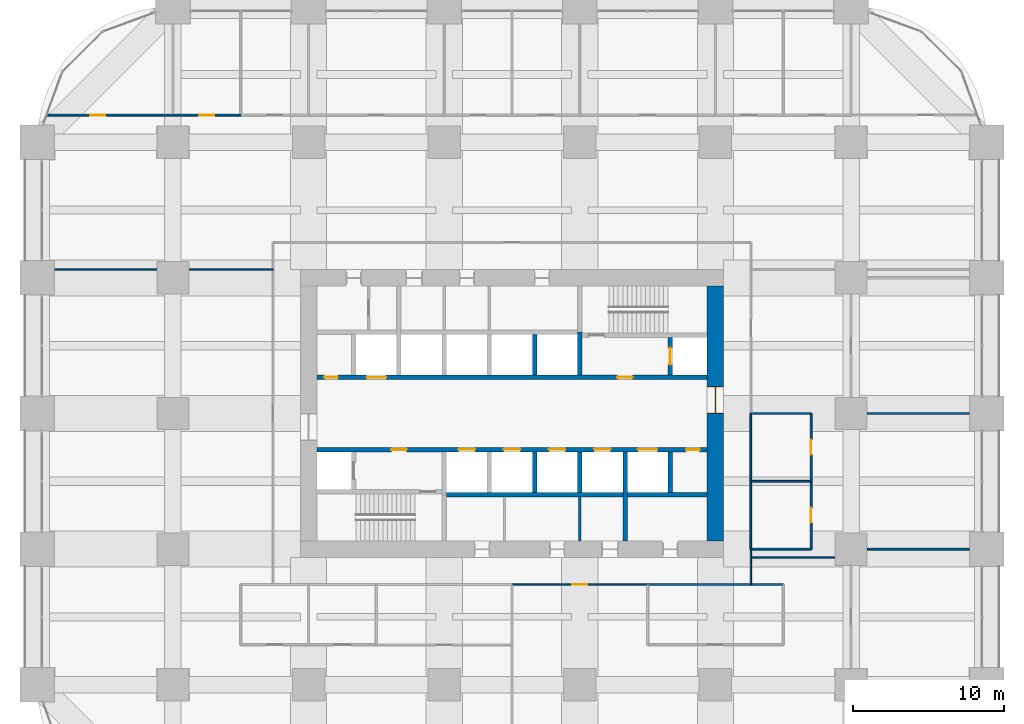
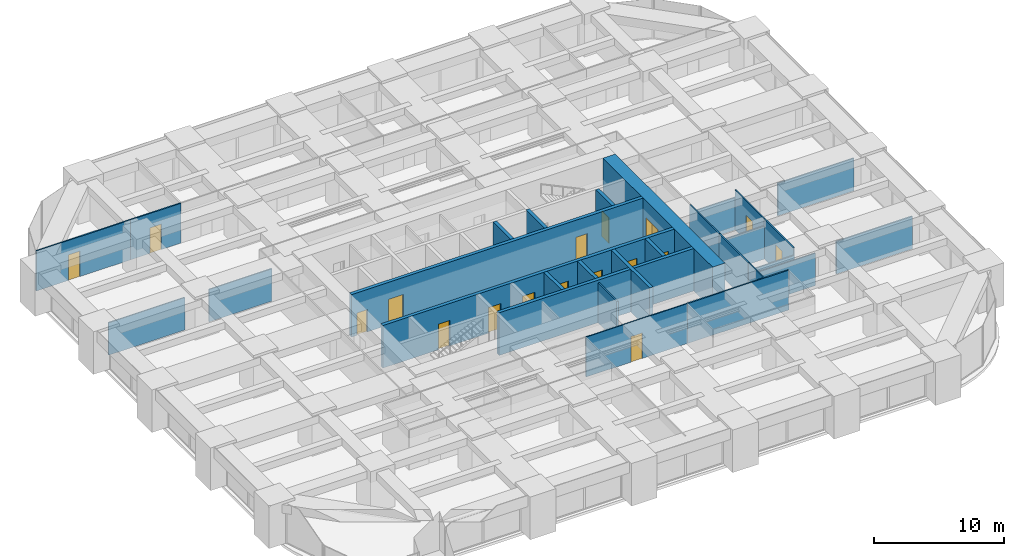
# One storey, part 40 of 43: 29 walls, 17 doors, 17 openings.
"""IFC4 building model written with IfcOpenShell, lengths in metres."""

from ifc_helpers import new_model, si_unit, direction, frame, frame_2d, origin, place, context, subcontext, project, spatial, rectangle, extrude, material, layer, layer_set, type_object, element, fill, save


model = new_model("IFC4")

# Units and contexts
model_context = context("Model", 3, precision=1e-05, world=origin(), true_north=direction((0.0, 1.0)))
body_context = subcontext(model_context, "Body", "Model", "MODEL_VIEW")
ifc_project = project(units=[si_unit("LENGTHUNIT", "METRE"), si_unit("AREAUNIT", "SQUARE_METRE"), si_unit("VOLUMEUNIT", "CUBIC_METRE"), si_unit("PLANEANGLEUNIT", "RADIAN"), si_unit("MASSUNIT", "GRAM", prefix="KILO")], contexts=[model_context])

# Site, building, storey
site_placement = place(None, origin())
site = spatial("IfcSite", under=ifc_project, at=site_placement, CompositionType="ELEMENT")
building_placement = place(site_placement, origin())
building = spatial("IfcBuilding", under=site, at=building_placement, Name="Zorevar Civic Tower", CompositionType="ELEMENT")
storey_placement = place(building_placement, frame((0.0, 0.0, 67.800048828125)))
storey = spatial("IfcBuildingStorey", under=building, at=storey_placement, Name="L16", CompositionType="ELEMENT", Elevation=67.800048828125)

# Wall, opening, door
ifc_material_1 = material(Name="Concrete C50/60", Category="concrete")
ifc_layer_1 = layer(ifc_material_1, 1.10009765625)
ifc_layer_set_1 = layer_set([ifc_layer_1], Name="Core wall 1100")
wall_type_1 = type_object("IfcWallType", Name="Core wall 1100", PredefinedType="SHEAR", material=ifc_layer_set_1)
wall_1_placement = place(storey_placement, frame((45.0, 18.550048828125, 0.0), z_axis=(0.0, 0.0, 1.0), x_axis=(0.0, 1.0, 0.0)))
wall_1 = element("IfcWall", 1, at=wall_1_placement, inside=storey, type_object=wall_type_1, Name="Core wall E L16", PredefinedType="SHEAR", context=body_context, shape_type="SweptSolid", body=[
    extrude(rectangle(XDim=16.89990234375, YDim=1.10009765625, at=frame_2d((8.449951171875, 0.0))), origin(), (0.0, 0.0, 1.0), 4.0),
])
opening_1_placement = place(wall_1_placement, frame((8.449951171875, 0.0, 0.0)))
opening_1 = element("IfcOpeningElement", 2, at=opening_1_placement, cuts=wall_1, Name="Opening L16.02", PredefinedType="OPENING", context=body_context, shape_type="SweptSolid", body=[
    extrude(rectangle(XDim=1.800048828125, YDim=2.39990234375, at=frame_2d((0.89990234375, 1.199951171875))), frame((0.0, 0.56005859375, 0.0), z_axis=(0.0, -1.0, 0.0), x_axis=(1.0, 0.0, 0.0)), (0.0, 0.0, 1.0), 1.1201171875),
])
ifc_material_2 = material(Name="Steel door set", Category="steel")
door_type_1 = type_object("IfcDoorType", Name="Fire door FD2 1800x2400", OperationType="DOUBLE_DOOR_DOUBLE_SWING", PredefinedType="DOOR", material=ifc_material_2)
door_1_placement = place(opening_1_placement, origin())
door_1 = element("IfcDoor", 3, at=door_1_placement, inside=storey, type_object=door_type_1, Name="Door L16 01", OperationType="DOUBLE_DOOR_DOUBLE_SWING", OverallHeight=2.39990234375, OverallWidth=1.800048828125, PredefinedType="DOOR", context=body_context, shape_type="SweptSolid", body=[
    extrude(rectangle(XDim=1.800048828125, YDim=2.39990234375, at=frame_2d((0.89990234375, 1.199951171875))), frame((0.0, 0.030029296875, 0.0), z_axis=(0.0, -1.0, 0.0), x_axis=(1.0, 0.0, 0.0)), (0.0, 0.0, 1.0), 0.06005859375),
    extrude(rectangle(XDim=0.04, YDim=2.39990234375, at=frame_2d((0.02001953125, 1.199951171875))), frame((0.0, 0.5498046875, 0.0), z_axis=(0.0, -1.0, 0.0), x_axis=(1.0, 0.0, 0.0)), (0.0, 0.0, 1.0), 1.099609375),
    extrude(rectangle(XDim=0.04, YDim=2.39990234375, at=frame_2d((1.780029296875, 1.199951171875))), frame((0.0, 0.5498046875, 0.0), z_axis=(0.0, -1.0, 0.0), x_axis=(1.0, 0.0, 0.0)), (0.0, 0.0, 1.0), 1.099609375),
    extrude(rectangle(XDim=1.800048828125, YDim=0.04, at=frame_2d((0.89990234375, 2.3798828125))), frame((0.0, 0.5498046875, 0.0), z_axis=(0.0, -1.0, 0.0), x_axis=(1.0, 0.0, 0.0)), (0.0, 0.0, 1.0), 1.099609375),
])
fill(opening_1, door_1)

ifc_material_3 = material(Name="Laminated glass in black aluminium frame", Category="aluminium")
ifc_layer_2 = layer(ifc_material_3, 0.10009765625)
ifc_layer_set_2 = layer_set([ifc_layer_2], Name="Glazed partition 100")
wall_type_2 = type_object("IfcWallType", Name="Glazed partition 100", PredefinedType="PARTITIONING", material=ifc_layer_set_2)
wall_2_placement = place(storey_placement, frame((31.5, 15.64990234375, 0.0), z_axis=(0.0, 0.0, 1.0), x_axis=(1.0, 0.0, 0.0)))
wall_2 = element("IfcWall", 4, at=wall_2_placement, inside=storey, type_object=wall_type_2, Name="Glazed partition 100 L16", PredefinedType="PARTITIONING", context=body_context, shape_type="SweptSolid", body=[
    extrude(rectangle(XDim=9.0, YDim=0.10009765625, at=frame_2d((4.5, 0.0))), origin(), (0.0, 0.0, 1.0), 3.75),
])
opening_2_placement = place(wall_2_placement, frame((4.0, 0.0, 0.0)))
opening_2 = element("IfcOpeningElement", 5, at=opening_2_placement, cuts=wall_2, Name="Opening L16.21", PredefinedType="OPENING", context=body_context, shape_type="SweptSolid", body=[
    extrude(rectangle(XDim=1.0, YDim=2.39990234375, at=frame_2d((0.5, 1.199951171875))), frame((0.0, 0.06005859375, 0.0), z_axis=(0.0, -1.0, 0.0), x_axis=(1.0, 0.0, 0.0)), (0.0, 0.0, 1.0), 0.1201171875),
])
ifc_material_4 = material(Name="Timber door set", Category="wood")
door_type_2 = type_object("IfcDoorType", Name="Glazed door GD1 1000x2400", OperationType="SINGLE_SWING_LEFT", PredefinedType="DOOR", material=ifc_material_4)
door_2_placement = place(opening_2_placement, origin())
door_2 = element("IfcDoor", 6, at=door_2_placement, inside=storey, type_object=door_type_2, Name="Door L16 D1", OperationType="SINGLE_SWING_LEFT", OverallHeight=2.39990234375, OverallWidth=1.0, PredefinedType="DOOR", context=body_context, shape_type="SweptSolid", body=[
    extrude(rectangle(XDim=1.0, YDim=2.39990234375, at=frame_2d((0.5, 1.199951171875))), frame((0.0, 0.02001953125, 0.0), z_axis=(0.0, -1.0, 0.0), x_axis=(1.0, 0.0, 0.0)), (0.0, 0.0, 1.0), 0.0400390625),
])
fill(opening_2, door_2)

# Walls
wall_3_placement = place(storey_placement, frame((47.35009765625, 17.449951171875, 0.0), z_axis=(0.0, 0.0, 1.0), x_axis=(1.0, 0.0, 0.0)))
element("IfcWall", 7, at=wall_3_placement, inside=storey, type_object=wall_type_2, Name="Glazed partition 100 L16", PredefinedType="PARTITIONING", context=body_context, shape_type="SweptSolid", body=[
    extrude(rectangle(XDim=5.574951171875, YDim=0.10009765625, at=frame_2d((2.78759765625, 0.0))), origin(), (0.0, 0.0, 1.0), 3.050048828125),
])
wall_4_placement = place(storey_placement, frame((1.14990234375, 36.550048828125, 0.0), z_axis=(0.0, 0.0, 1.0), x_axis=(1.0, 0.0, 0.0)))
element("IfcWall", 8, at=wall_4_placement, inside=storey, type_object=wall_type_2, Name="Glazed partition 100 L16", PredefinedType="PARTITIONING", context=body_context, shape_type="SweptSolid", body=[
    extrude(rectangle(XDim=6.775146484375, YDim=0.10009765625, at=frame_2d((3.3876953125, 0.0))), origin(), (0.0, 0.0, 1.0), 3.050048828125),
])
wall_5_placement = place(storey_placement, frame((10.074951171875, 36.550048828125, 0.0), z_axis=(0.0, 0.0, 1.0), x_axis=(1.0, 0.0, 0.0)))
element("IfcWall", 9, at=wall_5_placement, inside=storey, type_object=wall_type_2, Name="Glazed partition 100 L16", PredefinedType="PARTITIONING", context=body_context, shape_type="SweptSolid", body=[
    extrude(rectangle(XDim=5.574951171875, YDim=0.10009765625, at=frame_2d((2.78759765625, 0.0))), origin(), (0.0, 0.0, 1.0), 3.050048828125),
])
wall_6_placement = place(storey_placement, frame((47.35009765625, 15.64990234375, 0.0), z_axis=(0.0, 0.0, 1.0), x_axis=(0.0, 1.0, 0.0)))
element("IfcWall", 10, at=wall_6_placement, inside=storey, type_object=wall_type_2, Name="Glazed partition 100 L16", PredefinedType="PARTITIONING", context=body_context, shape_type="SweptSolid", body=[
    extrude(rectangle(XDim=2.35009765625, YDim=0.10009765625, at=frame_2d((1.175048828125, 0.0))), origin(), (0.0, 0.0, 1.0), 3.75),
])

# Wall, opening, door
ifc_material_5 = material(Name="Concrete C40/50", Category="concrete")
ifc_layer_3 = layer(ifc_material_5, 0.300048828125)
ifc_layer_set_3 = layer_set([ifc_layer_3], Name="Inner core wall 300")
wall_type_3 = type_object("IfcWallType", Name="Inner core wall 300", PredefinedType="SHEAR", material=ifc_layer_set_3)
wall_7_placement = place(storey_placement, frame((42.0, 29.550048828125, 0.0), z_axis=(0.0, 0.0, 1.0), x_axis=(0.0, 1.0, 0.0)))
wall_7 = element("IfcWall", 11, at=wall_7_placement, inside=storey, type_object=wall_type_3, Name="Inner core wall N02 L16", PredefinedType="SHEAR", context=body_context, shape_type="SweptSolid", body=[
    extrude(rectangle(XDim=2.5, YDim=0.300048828125, at=frame_2d((1.25, 0.0))), origin(), (0.0, 0.0, 1.0), 4.0),
])
opening_3_placement = place(wall_7_placement, frame((0.699951171875, 0.0, 0.0)))
opening_3 = element("IfcOpeningElement", 12, at=opening_3_placement, cuts=wall_7, Name="Opening L16.FL2", PredefinedType="OPENING", context=body_context, shape_type="SweptSolid", body=[
    extrude(rectangle(XDim=1.10009765625, YDim=2.39990234375, at=frame_2d((0.550048828125, 1.199951171875))), frame((0.0, 0.159912109375, 0.0), z_axis=(0.0, -1.0, 0.0), x_axis=(1.0, 0.0, 0.0)), (0.0, 0.0, 1.0), 0.320068359375),
])
ifc_material_6 = material(Name="Steel door set", Category="steel")
door_type_3 = type_object("IfcDoorType", Name="Firefighting lift landing door LD3 1100x2400", OperationType="DOUBLE_DOOR_SLIDING", PredefinedType="DOOR", material=ifc_material_6)
door_3_placement = place(opening_3_placement, origin())
door_3 = element("IfcDoor", 13, at=door_3_placement, inside=storey, type_object=door_type_3, Name="Landing door FL2 L16", OperationType="DOUBLE_DOOR_SLIDING", OverallHeight=2.39990234375, OverallWidth=1.10009765625, PredefinedType="DOOR", context=body_context, shape_type="SweptSolid", body=[
    extrude(rectangle(XDim=1.10009765625, YDim=2.39990234375, at=frame_2d((0.550048828125, 1.199951171875))), frame((0.0, 0.030029296875, 0.0), z_axis=(0.0, -1.0, 0.0), x_axis=(1.0, 0.0, 0.0)), (0.0, 0.0, 1.0), 0.06005859375),
])
fill(opening_3, door_3)

# Wall, openings, doors
wall_8_placement = place(storey_placement, frame((18.550048828125, 24.60009765625, 0.0), z_axis=(0.0, 0.0, 1.0), x_axis=(1.0, 0.0, 0.0)))
wall_8 = element("IfcWall", 14, at=wall_8_placement, inside=storey, type_object=wall_type_3, Name="Inner core wall S03 L16", PredefinedType="SHEAR", context=body_context, shape_type="SweptSolid", body=[
    extrude(rectangle(XDim=25.89990234375, YDim=0.300048828125, at=frame_2d((12.949951171875, 0.0))), origin(), (0.0, 0.0, 1.0), 4.0),
])
opening_4_placement = place(wall_8_placement, frame((4.949951171875, 0.0, 0.0)))
opening_4 = element("IfcOpeningElement", 15, at=opening_4_placement, cuts=wall_8, Name="Opening L16.13", PredefinedType="OPENING", context=body_context, shape_type="SweptSolid", body=[
    extrude(rectangle(XDim=1.0, YDim=2.39990234375, at=frame_2d((0.5, 1.199951171875))), frame((0.0, 0.159912109375, 0.0), z_axis=(0.0, -1.0, 0.0), x_axis=(1.0, 0.0, 0.0)), (0.0, 0.0, 1.0), 0.320068359375),
])
opening_5_placement = place(wall_8_placement, frame((24.5, 0.0, 0.0)))
opening_5 = element("IfcOpeningElement", 16, at=opening_5_placement, cuts=wall_8, Name="Opening L16.15", PredefinedType="OPENING", context=body_context, shape_type="SweptSolid", body=[
    extrude(rectangle(XDim=0.89990234375, YDim=2.10009765625, at=frame_2d((0.449951171875, 1.050048828125))), frame((0.0, 0.159912109375, 0.0), z_axis=(0.0, -1.0, 0.0), x_axis=(1.0, 0.0, 0.0)), (0.0, 0.0, 1.0), 0.320068359375),
])
opening_6_placement = place(wall_8_placement, frame((9.39990234375, 0.0, 0.0)))
opening_6 = element("IfcOpeningElement", 17, at=opening_6_placement, cuts=wall_8, Name="Opening L16.LP1", PredefinedType="OPENING", context=body_context, shape_type="SweptSolid", body=[
    extrude(rectangle(XDim=1.10009765625, YDim=2.39990234375, at=frame_2d((0.550048828125, 1.199951171875))), frame((0.0, 0.159912109375, 0.0), z_axis=(0.0, -1.0, 0.0), x_axis=(1.0, 0.0, 0.0)), (0.0, 0.0, 1.0), 0.320068359375),
])
opening_7_placement = place(wall_8_placement, frame((12.39990234375, 0.0, 0.0)))
opening_7 = element("IfcOpeningElement", 18, at=opening_7_placement, cuts=wall_8, Name="Opening L16.LP2", PredefinedType="OPENING", context=body_context, shape_type="SweptSolid", body=[
    extrude(rectangle(XDim=1.10009765625, YDim=2.39990234375, at=frame_2d((0.550048828125, 1.199951171875))), frame((0.0, 0.159912109375, 0.0), z_axis=(0.0, -1.0, 0.0), x_axis=(1.0, 0.0, 0.0)), (0.0, 0.0, 1.0), 0.320068359375),
])
opening_8_placement = place(wall_8_placement, frame((15.39990234375, 0.0, 0.0)))
opening_8 = element("IfcOpeningElement", 19, at=opening_8_placement, cuts=wall_8, Name="Opening L16.LP3", PredefinedType="OPENING", context=body_context, shape_type="SweptSolid", body=[
    extrude(rectangle(XDim=1.10009765625, YDim=2.39990234375, at=frame_2d((0.550048828125, 1.199951171875))), frame((0.0, 0.159912109375, 0.0), z_axis=(0.0, -1.0, 0.0), x_axis=(1.0, 0.0, 0.0)), (0.0, 0.0, 1.0), 0.320068359375),
])
opening_9_placement = place(wall_8_placement, frame((18.39990234375, 0.0, 0.0)))
opening_9 = element("IfcOpeningElement", 20, at=opening_9_placement, cuts=wall_8, Name="Opening L16.LP4", PredefinedType="OPENING", context=body_context, shape_type="SweptSolid", body=[
    extrude(rectangle(XDim=1.10009765625, YDim=2.39990234375, at=frame_2d((0.550048828125, 1.199951171875))), frame((0.0, 0.159912109375, 0.0), z_axis=(0.0, -1.0, 0.0), x_axis=(1.0, 0.0, 0.0)), (0.0, 0.0, 1.0), 0.320068359375),
])
opening_10_placement = place(wall_8_placement, frame((21.300048828125, 0.0, 0.0)))
opening_10 = element("IfcOpeningElement", 21, at=opening_10_placement, cuts=wall_8, Name="Opening L16.SL1", PredefinedType="OPENING", context=body_context, shape_type="SweptSolid", body=[
    extrude(rectangle(XDim=1.300048828125, YDim=2.39990234375, at=frame_2d((0.64990234375, 1.199951171875))), frame((0.0, 0.159912109375, 0.0), z_axis=(0.0, -1.0, 0.0), x_axis=(1.0, 0.0, 0.0)), (0.0, 0.0, 1.0), 0.320068359375),
])
ifc_material_7 = material(Name="Steel door set", Category="steel")
door_type_4 = type_object("IfcDoorType", Name="Fire door FD1 1000x2400", OperationType="SINGLE_SWING_LEFT", PredefinedType="DOOR", material=ifc_material_7)
door_4_placement = place(opening_4_placement, origin())
door_4 = element("IfcDoor", 22, at=door_4_placement, inside=storey, type_object=door_type_4, Name="Door L16 12", OperationType="SINGLE_SWING_RIGHT", OverallHeight=2.39990234375, OverallWidth=1.0, PredefinedType="DOOR", context=body_context, shape_type="SweptSolid", body=[
    extrude(rectangle(XDim=1.0, YDim=2.39990234375, at=frame_2d((0.5, 1.199951171875))), frame((0.0, 0.030029296875, 0.0), z_axis=(0.0, -1.0, 0.0), x_axis=(1.0, 0.0, 0.0)), (0.0, 0.0, 1.0), 0.06005859375),
])
fill(opening_4, door_4)
ifc_material_8 = material(Name="Steel door set", Category="steel")
door_type_5 = type_object("IfcDoorType", Name="Landing door LD1 1100x2400", OperationType="DOUBLE_DOOR_SLIDING", PredefinedType="DOOR", material=ifc_material_8)
door_5_placement = place(opening_6_placement, origin())
door_5 = element("IfcDoor", 23, at=door_5_placement, inside=storey, type_object=door_type_5, Name="Landing door LP1 L16", OperationType="DOUBLE_DOOR_SLIDING", OverallHeight=2.39990234375, OverallWidth=1.10009765625, PredefinedType="DOOR", context=body_context, shape_type="SweptSolid", body=[
    extrude(rectangle(XDim=1.10009765625, YDim=2.39990234375, at=frame_2d((0.550048828125, 1.199951171875))), frame((0.0, 0.02001953125, 0.0), z_axis=(0.0, -1.0, 0.0), x_axis=(1.0, 0.0, 0.0)), (0.0, 0.0, 1.0), 0.0400390625),
])
fill(opening_6, door_5)
door_6_placement = place(opening_7_placement, origin())
door_6 = element("IfcDoor", 24, at=door_6_placement, inside=storey, type_object=door_type_5, Name="Landing door LP2 L16", OperationType="DOUBLE_DOOR_SLIDING", OverallHeight=2.39990234375, OverallWidth=1.10009765625, PredefinedType="DOOR", context=body_context, shape_type="SweptSolid", body=[
    extrude(rectangle(XDim=1.10009765625, YDim=2.39990234375, at=frame_2d((0.550048828125, 1.199951171875))), frame((0.0, 0.02001953125, 0.0), z_axis=(0.0, -1.0, 0.0), x_axis=(1.0, 0.0, 0.0)), (0.0, 0.0, 1.0), 0.0400390625),
])
fill(opening_7, door_6)
door_7_placement = place(opening_8_placement, origin())
door_7 = element("IfcDoor", 25, at=door_7_placement, inside=storey, type_object=door_type_5, Name="Landing door LP3 L16", OperationType="DOUBLE_DOOR_SLIDING", OverallHeight=2.39990234375, OverallWidth=1.10009765625, PredefinedType="DOOR", context=body_context, shape_type="SweptSolid", body=[
    extrude(rectangle(XDim=1.10009765625, YDim=2.39990234375, at=frame_2d((0.550048828125, 1.199951171875))), frame((0.0, 0.02001953125, 0.0), z_axis=(0.0, -1.0, 0.0), x_axis=(1.0, 0.0, 0.0)), (0.0, 0.0, 1.0), 0.0400390625),
])
fill(opening_8, door_7)
door_8_placement = place(opening_9_placement, origin())
door_8 = element("IfcDoor", 26, at=door_8_placement, inside=storey, type_object=door_type_5, Name="Landing door LP4 L16", OperationType="DOUBLE_DOOR_SLIDING", OverallHeight=2.39990234375, OverallWidth=1.10009765625, PredefinedType="DOOR", context=body_context, shape_type="SweptSolid", body=[
    extrude(rectangle(XDim=1.10009765625, YDim=2.39990234375, at=frame_2d((0.550048828125, 1.199951171875))), frame((0.0, 0.02001953125, 0.0), z_axis=(0.0, -1.0, 0.0), x_axis=(1.0, 0.0, 0.0)), (0.0, 0.0, 1.0), 0.0400390625),
])
fill(opening_9, door_8)
ifc_material_9 = material(Name="Steel door set", Category="steel")
door_type_6 = type_object("IfcDoorType", Name="Landing door LD2 1300x2400", OperationType="DOUBLE_DOOR_SLIDING", PredefinedType="DOOR", material=ifc_material_9)
door_9_placement = place(opening_10_placement, origin())
door_9 = element("IfcDoor", 27, at=door_9_placement, inside=storey, type_object=door_type_6, Name="Landing door SL1 L16", OperationType="DOUBLE_DOOR_SLIDING", OverallHeight=2.39990234375, OverallWidth=1.300048828125, PredefinedType="DOOR", context=body_context, shape_type="SweptSolid", body=[
    extrude(rectangle(XDim=1.300048828125, YDim=2.39990234375, at=frame_2d((0.64990234375, 1.199951171875))), frame((0.0, 0.02001953125, 0.0), z_axis=(0.0, -1.0, 0.0), x_axis=(1.0, 0.0, 0.0)), (0.0, 0.0, 1.0), 0.0400390625),
])
fill(opening_10, door_9)
ifc_material_10 = material(Name="Steel door set", Category="steel")
door_type_7 = type_object("IfcDoorType", Name="Riser door RD1 900x2100", OperationType="SINGLE_SWING_LEFT", PredefinedType="DOOR", material=ifc_material_10)
door_10_placement = place(opening_5_placement, origin())
door_10 = element("IfcDoor", 28, at=door_10_placement, inside=storey, type_object=door_type_7, Name="Door L16 14", OperationType="SINGLE_SWING_RIGHT", OverallHeight=2.10009765625, OverallWidth=0.89990234375, PredefinedType="DOOR", context=body_context, shape_type="SweptSolid", body=[
    extrude(rectangle(XDim=0.89990234375, YDim=2.10009765625, at=frame_2d((0.449951171875, 1.050048828125))), frame((0.0, 0.030029296875, 0.0), z_axis=(0.0, -1.0, 0.0), x_axis=(1.0, 0.0, 0.0)), (0.0, 0.0, 1.0), 0.06005859375),
])
fill(opening_5, door_10)

wall_9_placement = place(storey_placement, frame((18.550048828125, 29.39990234375, 0.0), z_axis=(0.0, 0.0, 1.0), x_axis=(1.0, 0.0, 0.0)))
wall_9 = element("IfcWall", 29, at=wall_9_placement, inside=storey, type_object=wall_type_3, Name="Inner core wall N03 L16", PredefinedType="SHEAR", context=body_context, shape_type="SweptSolid", body=[
    extrude(rectangle(XDim=25.89990234375, YDim=0.300048828125, at=frame_2d((12.949951171875, 0.0))), origin(), (0.0, 0.0, 1.0), 4.0),
])
opening_11_placement = place(wall_9_placement, frame((19.949951171875, 0.0, 0.0)))
opening_11 = element("IfcOpeningElement", 30, at=opening_11_placement, cuts=wall_9, Name="Opening L16.14", PredefinedType="OPENING", context=body_context, shape_type="SweptSolid", body=[
    extrude(rectangle(XDim=1.0, YDim=2.39990234375, at=frame_2d((0.5, 1.199951171875))), frame((0.0, 0.159912109375, 0.0), z_axis=(0.0, -1.0, 0.0), x_axis=(1.0, 0.0, 0.0)), (0.0, 0.0, 1.0), 0.320068359375),
])
opening_12_placement = place(wall_9_placement, frame((0.5, 0.0, 0.0)))
opening_12 = element("IfcOpeningElement", 31, at=opening_12_placement, cuts=wall_9, Name="Opening L16.16", PredefinedType="OPENING", context=body_context, shape_type="SweptSolid", body=[
    extrude(rectangle(XDim=0.89990234375, YDim=2.10009765625, at=frame_2d((0.449951171875, 1.050048828125))), frame((0.0, 0.159912109375, 0.0), z_axis=(0.0, -1.0, 0.0), x_axis=(1.0, 0.0, 0.0)), (0.0, 0.0, 1.0), 0.320068359375),
])
opening_13_placement = place(wall_9_placement, frame((3.300048828125, 0.0, 0.0)))
opening_13 = element("IfcOpeningElement", 32, at=opening_13_placement, cuts=wall_9, Name="Opening L16.SL2", PredefinedType="OPENING", context=body_context, shape_type="SweptSolid", body=[
    extrude(rectangle(XDim=1.300048828125, YDim=2.39990234375, at=frame_2d((0.64990234375, 1.199951171875))), frame((0.0, 0.159912109375, 0.0), z_axis=(0.0, -1.0, 0.0), x_axis=(1.0, 0.0, 0.0)), (0.0, 0.0, 1.0), 0.320068359375),
])
door_11_placement = place(opening_11_placement, origin())
door_11 = element("IfcDoor", 33, at=door_11_placement, inside=storey, type_object=door_type_4, Name="Door L16 13", OperationType="SINGLE_SWING_RIGHT", OverallHeight=2.39990234375, OverallWidth=1.0, PredefinedType="DOOR", context=body_context, shape_type="SweptSolid", body=[
    extrude(rectangle(XDim=1.0, YDim=2.39990234375, at=frame_2d((0.5, 1.199951171875))), frame((0.0, 0.030029296875, 0.0), z_axis=(0.0, -1.0, 0.0), x_axis=(1.0, 0.0, 0.0)), (0.0, 0.0, 1.0), 0.06005859375),
])
fill(opening_11, door_11)
door_12_placement = place(opening_13_placement, origin())
door_12 = element("IfcDoor", 34, at=door_12_placement, inside=storey, type_object=door_type_6, Name="Landing door SL2 L16", OperationType="DOUBLE_DOOR_SLIDING", OverallHeight=2.39990234375, OverallWidth=1.300048828125, PredefinedType="DOOR", context=body_context, shape_type="SweptSolid", body=[
    extrude(rectangle(XDim=1.300048828125, YDim=2.39990234375, at=frame_2d((0.64990234375, 1.199951171875))), frame((0.0, 0.02001953125, 0.0), z_axis=(0.0, -1.0, 0.0), x_axis=(1.0, 0.0, 0.0)), (0.0, 0.0, 1.0), 0.0400390625),
])
fill(opening_13, door_12)
door_13_placement = place(opening_12_placement, origin())
door_13 = element("IfcDoor", 35, at=door_13_placement, inside=storey, type_object=door_type_7, Name="Door L16 15", OperationType="SINGLE_SWING_RIGHT", OverallHeight=2.10009765625, OverallWidth=0.89990234375, PredefinedType="DOOR", context=body_context, shape_type="SweptSolid", body=[
    extrude(rectangle(XDim=0.89990234375, YDim=2.10009765625, at=frame_2d((0.449951171875, 1.050048828125))), frame((0.0, 0.030029296875, 0.0), z_axis=(0.0, -1.0, 0.0), x_axis=(1.0, 0.0, 0.0)), (0.0, 0.0, 1.0), 0.06005859375),
])
fill(opening_12, door_13)

# Walls
wall_10_placement = place(storey_placement, frame((27.14990234375, 21.60009765625, 0.0), z_axis=(0.0, 0.0, 1.0), x_axis=(1.0, 0.0, 0.0)))
element("IfcWall", 36, at=wall_10_placement, inside=storey, type_object=wall_type_3, Name="Inner core wall S04 L16", PredefinedType="SHEAR", context=body_context, shape_type="SweptSolid", body=[
    extrude(rectangle(XDim=17.300048828125, YDim=0.300048828125, at=frame_2d((8.64990234375, 0.0))), origin(), (0.0, 0.0, 1.0), 4.0),
])
for number, where, z_axis, x_axis, name in (
    (37, (33.0, 29.550048828125, 0.0), (0.0, 0.0, 1.0), (0.0, 1.0, 0.0), "Inner core wall N05 L16"),
    (38, (33.0, 21.75, 0.0), (0.0, 0.0, 1.0), (0.0, 1.0, 0.0), "Inner core wall S06 L16"),
    (39, (36.0, 21.75, 0.0), (0.0, 0.0, 1.0), (0.0, 1.0, 0.0), "Inner core wall S07 L16"),
):
    element("IfcWall", number, at=place(storey_placement, frame(where, z_axis=z_axis, x_axis=x_axis)), inside=storey, type_object=wall_type_3, Name=name, PredefinedType="SHEAR", context=body_context, shape_type="SweptSolid", body=[
        extrude(rectangle(XDim=2.699951171875, YDim=0.300048828125, at=frame_2d((1.35009765625, 0.0))), origin(), (0.0, 0.0, 1.0), 4.0),
    ])
wall_11_placement = place(storey_placement, frame((39.0, 18.550048828125, 0.0), z_axis=(0.0, 0.0, 1.0), x_axis=(0.0, 1.0, 0.0)))
element("IfcWall", 40, at=wall_11_placement, inside=storey, type_object=wall_type_3, Name="Inner core wall S08 L16", PredefinedType="SHEAR", context=body_context, shape_type="SweptSolid", body=[
    extrude(rectangle(XDim=5.89990234375, YDim=0.300048828125, at=frame_2d((2.949951171875, 0.0))), origin(), (0.0, 0.0, 1.0), 4.0),
])
wall_12_placement = place(storey_placement, frame((42.0, 21.75, 0.0), z_axis=(0.0, 0.0, 1.0), x_axis=(0.0, 1.0, 0.0)))
element("IfcWall", 41, at=wall_12_placement, inside=storey, type_object=wall_type_3, Name="Inner core wall S09 L16", PredefinedType="SHEAR", context=body_context, shape_type="SweptSolid", body=[
    extrude(rectangle(XDim=2.699951171875, YDim=0.300048828125, at=frame_2d((1.35009765625, 0.0))), origin(), (0.0, 0.0, 1.0), 4.0),
])
wall_13_placement = place(storey_placement, frame((36.0, 29.550048828125, 0.0), z_axis=(0.0, 0.0, 1.0), x_axis=(0.0, 1.0, 0.0)))
element("IfcWall", 42, at=wall_13_placement, inside=storey, type_object=wall_type_3, Name="Inner core wall N10 L16", PredefinedType="SHEAR", context=body_context, shape_type="SweptSolid", body=[
    extrude(rectangle(XDim=2.849853515625, YDim=0.300048828125, at=frame_2d((1.4248046875, 0.0))), origin(), (0.0, 0.0, 1.0), 4.0),
])
ifc_material_11 = material(Name="Gypsum board on steel studs", Category="steel")
ifc_layer_4 = layer(ifc_material_11, 0.1201171875)
ifc_layer_set_4 = layer_set([ifc_layer_4], Name="Partition 120")
wall_type_4 = type_object("IfcWallType", Name="Partition 120", PredefinedType="PARTITIONING", material=ifc_layer_set_4)
wall_14_placement = place(storey_placement, frame((40.5, 15.64990234375, 0.0), z_axis=(0.0, 0.0, 1.0), x_axis=(1.0, 0.0, 0.0)))
element("IfcWall", 43, at=wall_14_placement, inside=storey, type_object=wall_type_4, Name="Partition 120 L16", PredefinedType="PARTITIONING", context=body_context, shape_type="SweptSolid", body=[
    extrude(rectangle(XDim=9.0, YDim=0.1201171875, at=frame_2d((4.5, 0.0))), origin(), (0.0, 0.0, 1.0), 3.75),
])
wall_15_placement = place(storey_placement, frame((47.35009765625, 18.0, 0.0), z_axis=(0.0, 0.0, 1.0), x_axis=(1.0, 0.0, 0.0)))
element("IfcWall", 44, at=wall_15_placement, inside=storey, type_object=wall_type_4, Name="Partition 120 L16", PredefinedType="PARTITIONING", context=body_context, shape_type="SweptSolid", body=[
    extrude(rectangle(XDim=4.0, YDim=0.1201171875, at=frame_2d((2.0, 0.0))), origin(), (0.0, 0.0, 1.0), 3.050048828125),
])
wall_16_placement = place(storey_placement, frame((55.074951171875, 18.0, 0.0), z_axis=(0.0, 0.0, 1.0), x_axis=(1.0, 0.0, 0.0)))
element("IfcWall", 45, at=wall_16_placement, inside=storey, type_object=wall_type_4, Name="Partition 120 L16", PredefinedType="PARTITIONING", context=body_context, shape_type="SweptSolid", body=[
    extrude(rectangle(XDim=6.775146484375, YDim=0.1201171875, at=frame_2d((3.3876953125, 0.0))), origin(), (0.0, 0.0, 1.0), 3.050048828125),
])
wall_17_placement = place(storey_placement, frame((47.35009765625, 22.5, 0.0), z_axis=(0.0, 0.0, 1.0), x_axis=(1.0, 0.0, 0.0)))
element("IfcWall", 46, at=wall_17_placement, inside=storey, type_object=wall_type_4, Name="Partition 120 L16", PredefinedType="PARTITIONING", context=body_context, shape_type="SweptSolid", body=[
    extrude(rectangle(XDim=4.0, YDim=0.1201171875, at=frame_2d((2.0, 0.0))), origin(), (0.0, 0.0, 1.0), 3.099853515625),
])
wall_18_placement = place(storey_placement, frame((47.35009765625, 27.0, 0.0), z_axis=(0.0, 0.0, 1.0), x_axis=(1.0, 0.0, 0.0)))
element("IfcWall", 47, at=wall_18_placement, inside=storey, type_object=wall_type_4, Name="Partition 120 L16", PredefinedType="PARTITIONING", context=body_context, shape_type="SweptSolid", body=[
    extrude(rectangle(XDim=4.0, YDim=0.1201171875, at=frame_2d((2.0, 0.0))), origin(), (0.0, 0.0, 1.0), 3.050048828125),
])
wall_19_placement = place(storey_placement, frame((55.074951171875, 27.0, 0.0), z_axis=(0.0, 0.0, 1.0), x_axis=(1.0, 0.0, 0.0)))
element("IfcWall", 48, at=wall_19_placement, inside=storey, type_object=wall_type_4, Name="Partition 120 L16", PredefinedType="PARTITIONING", context=body_context, shape_type="SweptSolid", body=[
    extrude(rectangle(XDim=6.775146484375, YDim=0.1201171875, at=frame_2d((3.3876953125, 0.0))), origin(), (0.0, 0.0, 1.0), 3.050048828125),
])

# Wall, opening, door
wall_20_placement = place(storey_placement, frame((9.0, 46.800048828125, 0.0), z_axis=(0.0, 0.0, 1.0), x_axis=(1.0, 0.0, 0.0)))
wall_20 = element("IfcWall", 49, at=wall_20_placement, inside=storey, type_object=wall_type_4, Name="Partition 120 L16", PredefinedType="PARTITIONING", context=body_context, shape_type="SweptSolid", body=[
    extrude(rectangle(XDim=4.5, YDim=0.1201171875, at=frame_2d((2.25, 0.0))), origin(), (0.0, 0.0, 1.0), 3.75),
])
opening_14_placement = place(wall_20_placement, frame((1.75, 0.0, 0.0)))
opening_14 = element("IfcOpeningElement", 50, at=opening_14_placement, cuts=wall_20, Name="Opening L16.23", PredefinedType="OPENING", context=body_context, shape_type="SweptSolid", body=[
    extrude(rectangle(XDim=1.0, YDim=2.39990234375, at=frame_2d((0.5, 1.199951171875))), frame((0.0, 0.070068359375, 0.0), z_axis=(0.0, -1.0, 0.0), x_axis=(1.0, 0.0, 0.0)), (0.0, 0.0, 1.0), 0.14013671875),
])
ifc_material_12 = material(Name="Timber door set", Category="wood")
door_type_8 = type_object("IfcDoorType", Name="Door D1 1000x2400", OperationType="SINGLE_SWING_LEFT", PredefinedType="DOOR", material=ifc_material_12)
door_14_placement = place(opening_14_placement, origin())
door_14 = element("IfcDoor", 51, at=door_14_placement, inside=storey, type_object=door_type_8, Name="Door L16 D1", OperationType="SINGLE_SWING_LEFT", OverallHeight=2.39990234375, OverallWidth=1.0, PredefinedType="DOOR", context=body_context, shape_type="SweptSolid", body=[
    extrude(rectangle(XDim=1.0, YDim=2.39990234375, at=frame_2d((0.5, 1.199951171875))), frame((0.0, 0.02490234375, 0.0), z_axis=(0.0, -1.0, 0.0), x_axis=(1.0, 0.0, 0.0)), (0.0, 0.0, 1.0), 0.050048828125),
])
fill(opening_14, door_14)

wall_21_placement = place(storey_placement, frame((0.65283203125, 46.800048828125, 0.0), z_axis=(0.0, 0.0, 1.0), x_axis=(1.0, 0.0, 0.0)))
wall_21 = element("IfcWall", 52, at=wall_21_placement, inside=storey, type_object=wall_type_4, Name="Partition 120 L16", PredefinedType="PARTITIONING", context=body_context, shape_type="SweptSolid", body=[
    extrude(rectangle(XDim=8.34716796875, YDim=0.1201171875, at=frame_2d((4.173583984375, 0.0))), origin(), (0.0, 0.0, 1.0), 3.75),
])
opening_15_placement = place(wall_21_placement, frame((2.84716796875, 0.0, 0.0)))
opening_15 = element("IfcOpeningElement", 53, at=opening_15_placement, cuts=wall_21, Name="Opening L16.31", PredefinedType="OPENING", context=body_context, shape_type="SweptSolid", body=[
    extrude(rectangle(XDim=1.0, YDim=2.39990234375, at=frame_2d((0.5, 1.199951171875))), frame((0.0, 0.070068359375, 0.0), z_axis=(0.0, -1.0, 0.0), x_axis=(1.0, 0.0, 0.0)), (0.0, 0.0, 1.0), 0.14013671875),
])
door_15_placement = place(opening_15_placement, origin())
door_15 = element("IfcDoor", 54, at=door_15_placement, inside=storey, type_object=door_type_8, Name="Door L16 D1", OperationType="SINGLE_SWING_LEFT", OverallHeight=2.39990234375, OverallWidth=1.0, PredefinedType="DOOR", context=body_context, shape_type="SweptSolid", body=[
    extrude(rectangle(XDim=1.0, YDim=2.39990234375, at=frame_2d((0.5, 1.199951171875))), frame((0.0, 0.02490234375, 0.0), z_axis=(0.0, -1.0, 0.0), x_axis=(1.0, 0.0, 0.0)), (0.0, 0.0, 1.0), 0.050048828125),
])
fill(opening_15, door_15)

# Walls
for number, where, z_axis, x_axis, name in (
    (55, (47.35009765625, 18.0, 0.0), (0.0, 0.0, 1.0), (0.0, 1.0, 0.0), "Partition 120 L16"),
    (56, (47.35009765625, 22.5, 0.0), (0.0, 0.0, 1.0), (0.0, 1.0, 0.0), "Partition 120 L16"),
):
    element("IfcWall", number, at=place(storey_placement, frame(where, z_axis=z_axis, x_axis=x_axis)), inside=storey, type_object=wall_type_4, Name=name, PredefinedType="PARTITIONING", context=body_context, shape_type="SweptSolid", body=[
        extrude(rectangle(XDim=4.5, YDim=0.1201171875, at=frame_2d((2.25, 0.0))), origin(), (0.0, 0.0, 1.0), 3.75),
    ])

# Wall, opening, door
wall_22_placement = place(storey_placement, frame((51.35009765625, 18.0, 0.0), z_axis=(0.0, 0.0, 1.0), x_axis=(0.0, 1.0, 0.0)))
wall_22 = element("IfcWall", 57, at=wall_22_placement, inside=storey, type_object=wall_type_4, Name="Partition 120 L16", PredefinedType="PARTITIONING", context=body_context, shape_type="SweptSolid", body=[
    extrude(rectangle(XDim=4.5, YDim=0.1201171875, at=frame_2d((2.25, 0.0))), origin(), (0.0, 0.0, 1.0), 3.75),
])
opening_16_placement = place(wall_22_placement, frame((1.75, 0.0, 0.0)))
opening_16 = element("IfcOpeningElement", 58, at=opening_16_placement, cuts=wall_22, Name="Opening L16.35", PredefinedType="OPENING", context=body_context, shape_type="SweptSolid", body=[
    extrude(rectangle(XDim=1.0, YDim=2.39990234375, at=frame_2d((0.5, 1.199951171875))), frame((0.0, 0.070068359375, 0.0), z_axis=(0.0, -1.0, 0.0), x_axis=(1.0, 0.0, 0.0)), (0.0, 0.0, 1.0), 0.14013671875),
])
door_16_placement = place(opening_16_placement, origin())
door_16 = element("IfcDoor", 59, at=door_16_placement, inside=storey, type_object=door_type_8, Name="Door L16 D1", OperationType="SINGLE_SWING_LEFT", OverallHeight=2.39990234375, OverallWidth=1.0, PredefinedType="DOOR", context=body_context, shape_type="SweptSolid", body=[
    extrude(rectangle(XDim=1.0, YDim=2.39990234375, at=frame_2d((0.5, 1.199951171875))), frame((0.0, 0.02490234375, 0.0), z_axis=(0.0, -1.0, 0.0), x_axis=(1.0, 0.0, 0.0)), (0.0, 0.0, 1.0), 0.050048828125),
])
fill(opening_16, door_16)

wall_23_placement = place(storey_placement, frame((51.35009765625, 22.5, 0.0), z_axis=(0.0, 0.0, 1.0), x_axis=(0.0, 1.0, 0.0)))
wall_23 = element("IfcWall", 60, at=wall_23_placement, inside=storey, type_object=wall_type_4, Name="Partition 120 L16", PredefinedType="PARTITIONING", context=body_context, shape_type="SweptSolid", body=[
    extrude(rectangle(XDim=4.5, YDim=0.1201171875, at=frame_2d((2.25, 0.0))), origin(), (0.0, 0.0, 1.0), 3.75),
])
opening_17_placement = place(wall_23_placement, frame((1.75, 0.0, 0.0)))
opening_17 = element("IfcOpeningElement", 61, at=opening_17_placement, cuts=wall_23, Name="Opening L16.36", PredefinedType="OPENING", context=body_context, shape_type="SweptSolid", body=[
    extrude(rectangle(XDim=1.0, YDim=2.39990234375, at=frame_2d((0.5, 1.199951171875))), frame((0.0, 0.070068359375, 0.0), z_axis=(0.0, -1.0, 0.0), x_axis=(1.0, 0.0, 0.0)), (0.0, 0.0, 1.0), 0.14013671875),
])
door_17_placement = place(opening_17_placement, origin())
door_17 = element("IfcDoor", 62, at=door_17_placement, inside=storey, type_object=door_type_8, Name="Door L16 D1", OperationType="SINGLE_SWING_LEFT", OverallHeight=2.39990234375, OverallWidth=1.0, PredefinedType="DOOR", context=body_context, shape_type="SweptSolid", body=[
    extrude(rectangle(XDim=1.0, YDim=2.39990234375, at=frame_2d((0.5, 1.199951171875))), frame((0.0, 0.02490234375, 0.0), z_axis=(0.0, -1.0, 0.0), x_axis=(1.0, 0.0, 0.0)), (0.0, 0.0, 1.0), 0.050048828125),
])
fill(opening_17, door_17)

# Wall
ifc_material_13 = material(Name="Gypsum board on steel studs, moisture resistant", Category="steel")
ifc_layer_5 = layer(ifc_material_13, 0.14990234375)
ifc_layer_set_5 = layer_set([ifc_layer_5], Name="WC partition 150")
wall_type_5 = type_object("IfcWallType", Name="WC partition 150", PredefinedType="PARTITIONING", material=ifc_layer_set_5)
wall_24_placement = place(storey_placement, frame((36.0, 18.550048828125, 0.0), z_axis=(0.0, 0.0, 1.0), x_axis=(0.0, 1.0, 0.0)))
element("IfcWall", 63, at=wall_24_placement, inside=storey, type_object=wall_type_5, Name="WC partition L16", PredefinedType="PARTITIONING", context=body_context, shape_type="SweptSolid", body=[
    extrude(rectangle(XDim=2.89990234375, YDim=0.14990234375, at=frame_2d((1.449951171875, 0.0))), origin(), (0.0, 0.0, 1.0), 3.75),
])

save(model, "model.ifc")
